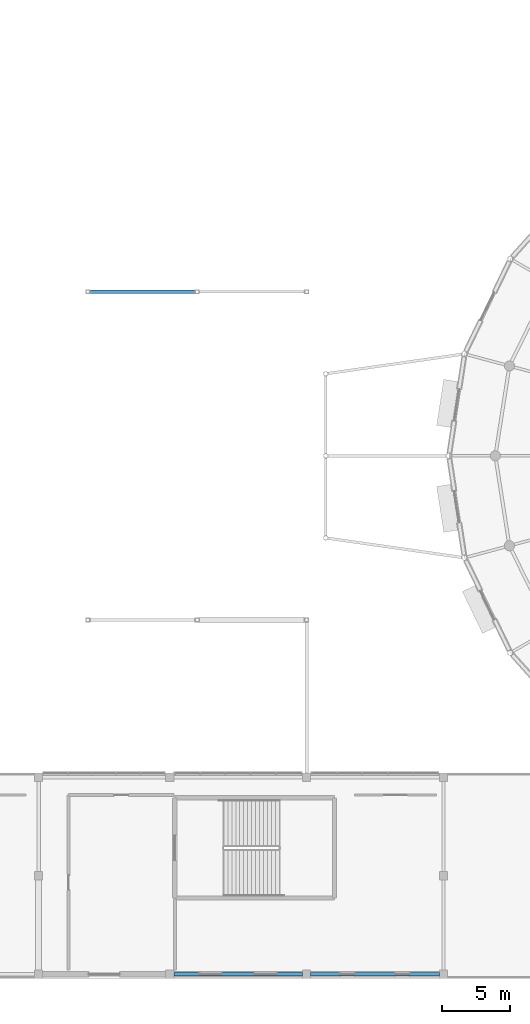
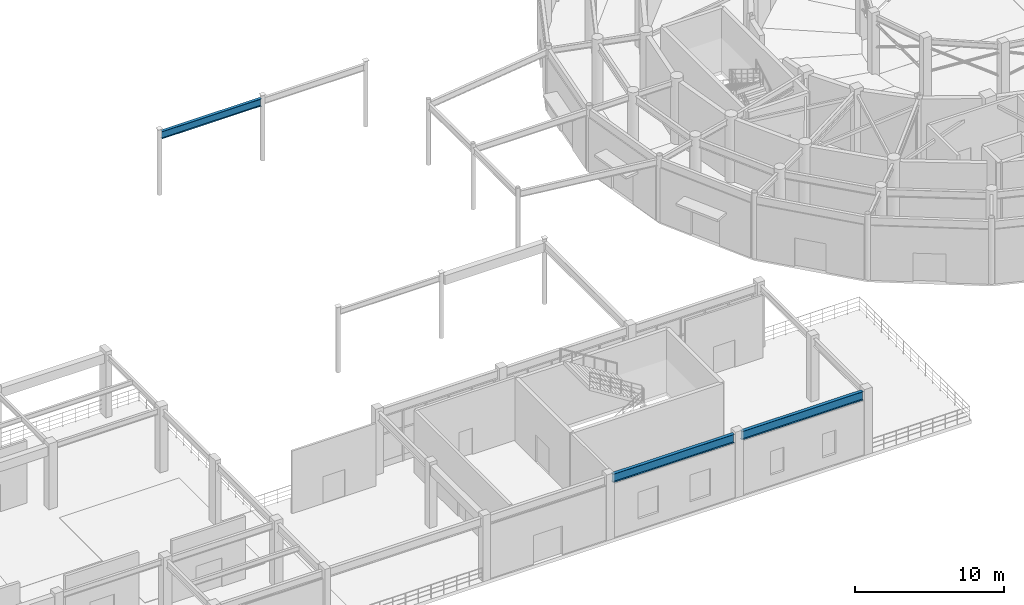
# One storey, part 22 of 93: 3 beams.
"""IFC4 building model written with IfcOpenShell, lengths in metres."""

from ifc_helpers import new_model, si_unit, direction, frame, origin, origin_2d, place, context, subcontext, project, spatial, i_section, extrude, material, material_profile, profile_set, type_object, element, save


model = new_model("IFC4")

# Units and contexts
model_context = context("Model", 3, precision=1e-05, world=origin(), true_north=direction((0.0, 1.0)))
body_context = subcontext(model_context, "Body", "Model", "MODEL_VIEW")
ifc_project = project(units=[si_unit("LENGTHUNIT", "METRE"), si_unit("AREAUNIT", "SQUARE_METRE"), si_unit("VOLUMEUNIT", "CUBIC_METRE"), si_unit("PLANEANGLEUNIT", "RADIAN"), si_unit("MASSUNIT", "GRAM", prefix="KILO")], contexts=[model_context])

# Site, building, storey
site_placement = place(None, origin())
site = spatial("IfcSite", under=ifc_project, at=site_placement, CompositionType="ELEMENT")
building_placement = place(site_placement, origin())
building = spatial("IfcBuilding", under=site, at=building_placement, Name="Cinderbank Siding Concert Hall", CompositionType="ELEMENT")
storey_placement = place(building_placement, origin())
storey = spatial("IfcBuildingStorey", under=building, at=storey_placement, Name="L01", CompositionType="ELEMENT", Elevation=0.0)

# Beams
ifc_material_1 = material(Name="Structural steel AS/NZS 3679.1 Grade 350 (340 MPa)", Category="steel")
ifc_material_profile_1 = material_profile(ifc_material_1, i_section(OverallWidth=0.22802734375, OverallDepth=0.602294921875, WebThickness=0.010498046875, FlangeThickness=0.014892578125, at=origin_2d()), Name="610UB101", Category="LoadBearing")
ifc_profile_set_1 = profile_set([ifc_material_profile_1], Name="Structural steel AS/NZS 3679.1 Grade 350 (340 MPa)")
beam_type_1 = type_object("IfcBeamType", Name="BM-UB610 610UB101", PredefinedType="BEAM", material=ifc_profile_set_1)
beam_placement = place(storey_placement, frame((62.154052734375, 56.0, 4.82080078125), z_axis=(1.0, 0.0, 0.0), x_axis=(0.0, 1.0, 0.0)))
element("IfcBeam", 1, at=beam_placement, inside=storey, type_object=beam_type_1, Name="L01 Beam BM-UB610 #1444", PredefinedType="BEAM", context=body_context, shape_type="SweptSolid", body=[
    extrude(i_section(OverallWidth=0.22802734375, OverallDepth=0.602294921875, WebThickness=0.010498046875, FlangeThickness=0.014892578125, at=origin_2d()), origin(), (0.0, 0.0, 1.0), 7.692138671875),
])
ifc_material_2 = material(Name="Structural steel welded plate section AS/NZS 3679.2 / AS/NZS 3678 Grade 350 (340 MPa)", Category="steel")
ifc_material_profile_2 = material_profile(ifc_material_2, i_section(OverallWidth=0.25, OverallDepth=0.699951171875, WebThickness=0.010009765625, FlangeThickness=0.01611328125, at=origin_2d()), Name="700WB130", Category="LoadBearing")
ifc_profile_set_2 = profile_set([ifc_material_profile_2], Name="Structural steel welded plate section AS/NZS 3679.2 / AS/NZS 3678 Grade 350 (340 MPa)")
beam_type_2 = type_object("IfcBeamType", Name="BM-WB700 700WB130", PredefinedType="BEAM", material=ifc_profile_set_2)
for number, where, z_axis, x_axis, name in (
    (2, (68.2919921875, 6.10009765625, 4.7919921875), (1.0, 0.0, 0.0), (0.0, 1.0, 0.0), "L01 Beam BM-WB700 #1399"),
    (3, (78.2919921875, 6.10009765625, 4.7919921875), (1.0, 0.0, 0.0), (0.0, 1.0, 0.0), "L01 Beam BM-WB700 #1401"),
):
    element("IfcBeam", number, at=place(storey_placement, frame(where, z_axis=z_axis, x_axis=x_axis)), inside=storey, type_object=beam_type_2, Name=name, PredefinedType="BEAM", context=body_context, shape_type="SweptSolid", body=[
        extrude(i_section(OverallWidth=0.25, OverallDepth=0.699951171875, WebThickness=0.010009765625, FlangeThickness=0.01611328125, at=origin_2d()), origin(), (0.0, 0.0, 1.0), 9.416015625),
    ])

save(model, "model.ifc")
